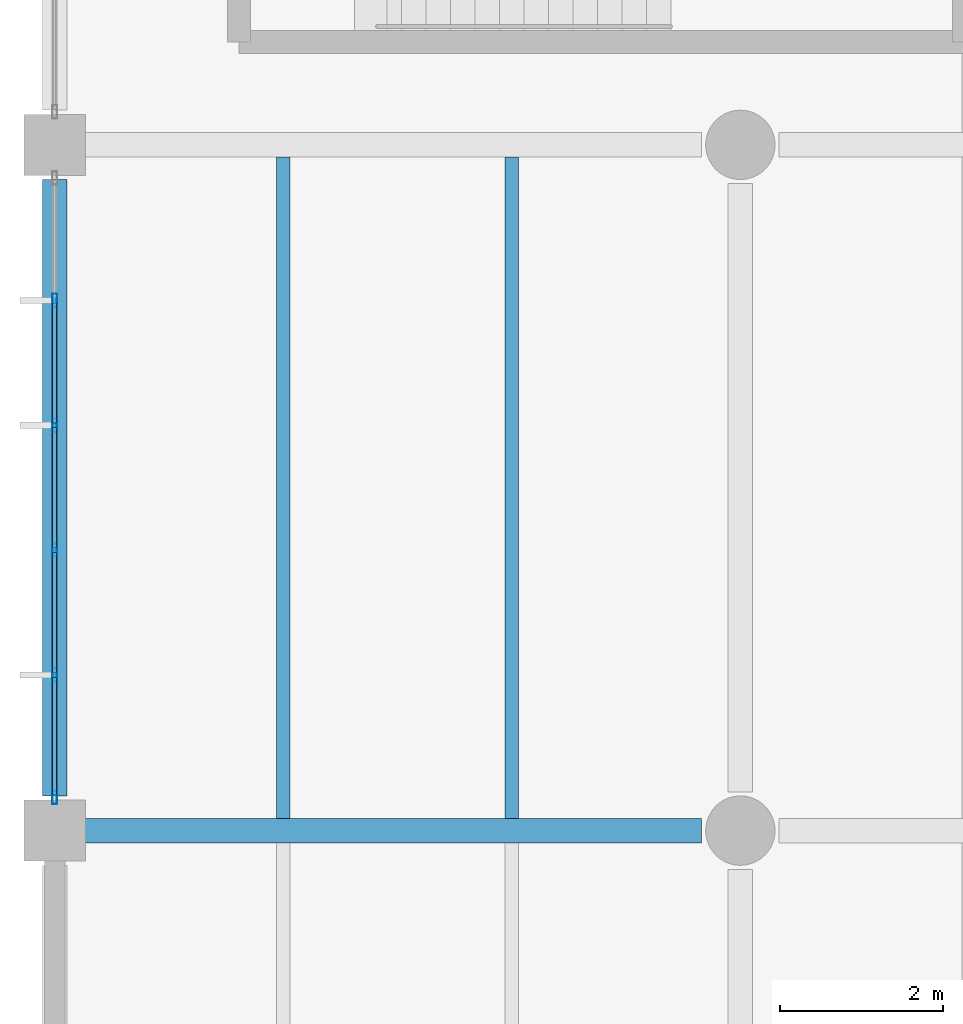
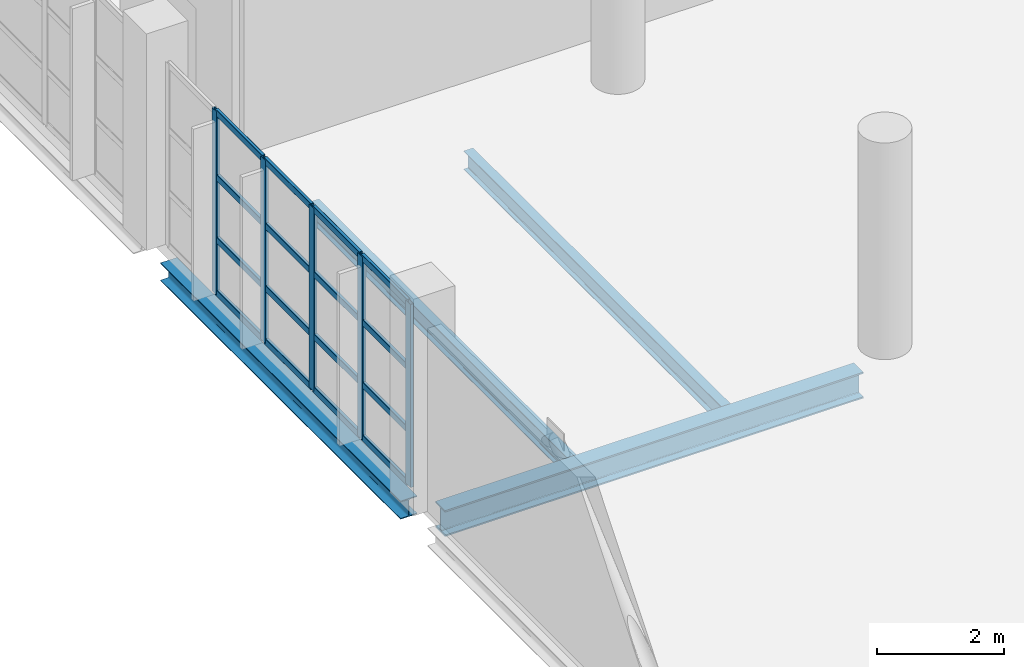
# One storey, part 56 of 177: 21 members, 4 beams, 1 element without a shape of its own.
"""IFC4 building model written with IfcOpenShell, lengths in metres."""

from ifc_helpers import new_model, si_unit, direction, frame, origin, origin_2d, place, context, subcontext, project, spatial, hollow_rectangle, i_section, extrude, material, layer, layer_set, material_profile, profile_set, type_object, element, aggregate, save


model = new_model("IFC4")

# Units and contexts
model_context = context("Model", 3, precision=1e-05, world=origin(), true_north=direction((0.0, 1.0)))
body_context = subcontext(model_context, "Body", "Model", "MODEL_VIEW")
ifc_project = project(units=[si_unit("LENGTHUNIT", "METRE"), si_unit("AREAUNIT", "SQUARE_METRE"), si_unit("VOLUMEUNIT", "CUBIC_METRE"), si_unit("PLANEANGLEUNIT", "RADIAN"), si_unit("MASSUNIT", "GRAM", prefix="KILO"), si_unit("THERMODYNAMICTEMPERATUREUNIT", "KELVIN"), si_unit("POWERUNIT", "WATT")], contexts=[model_context])

# Site, building, storey
site_placement = place(None, origin())
site = spatial("IfcSite", under=ifc_project, at=site_placement, CompositionType="ELEMENT")
building_placement = place(site_placement, origin())
building = spatial("IfcBuilding", under=site, at=building_placement, Name="Mavoryth Pier Ferry Terminal", CompositionType="ELEMENT")
storey_placement = place(building_placement, frame((0.0, 0.0, 5.43994140625)))
storey = spatial("IfcBuildingStorey", under=building, at=storey_placement, Name="L01", CompositionType="ELEMENT", Elevation=5.43994140625)

# Beams
ifc_material_1 = material(Name="Steel S355J2", Category="steel")
ifc_material_profile_1 = material_profile(ifc_material_1, i_section(OverallWidth=0.300048828125, OverallDepth=0.5, WebThickness=0.014404296875, FlangeThickness=0.028076171875, FilletRadius=0.027099609375, at=origin_2d()), Name="HEB 500", Category="steel")
ifc_profile_set_1 = profile_set([ifc_material_profile_1], Name="Steel S355J2 - HEB 500")
beam_type_1 = type_object("IfcBeamType", Name="Beam-Steel-HEB500", PredefinedType="BEAM", material=ifc_profile_set_1)
beam_1_placement = place(storey_placement, frame((0.324951171875, 89.199951171875, -0.530029296875), z_axis=(1.0, 0.0, 0.0), x_axis=(0.0, 1.0, 0.0)))
element("IfcBeam", 1, at=beam_1_placement, inside=storey, type_object=beam_type_1, Name="Beam B01-SB01-0066", PredefinedType="BEAM", context=body_context, shape_type="SweptSolid", body=[
    extrude(i_section(OverallWidth=0.300048828125, OverallDepth=0.5, WebThickness=0.014404296875, FlangeThickness=0.028076171875, FilletRadius=0.027099609375, at=origin_2d()), origin(), (0.0, 0.0, 1.0), 7.60009765625),
])
ifc_material_profile_2 = material_profile(ifc_material_1, i_section(OverallWidth=0.169921875, OverallDepth=0.360107421875, WebThickness=0.008056640625, FlangeThickness=0.0126953125, FilletRadius=0.01806640625, at=origin_2d()), Name="IPE 360", Category="steel")
ifc_profile_set_2 = profile_set([ifc_material_profile_2], Name="Steel S355J2 - IPE 360")
beam_type_2 = type_object("IfcBeamType", Name="Joist-Steel-IPE360", PredefinedType="JOIST", material=ifc_profile_set_2)
for number, where, z_axis, x_axis, name in (
    (2, (2.800048828125, 89.35009765625, -0.4599609375), (0.0, 1.0, 0.0), (-1.0, 0.0, 0.0), "Beam B01-SJ02-0119"),
    (3, (5.60009765625, 89.35009765625, -0.4599609375), (0.0, 1.0, 0.0), (-1.0, 0.0, 0.0), "Beam B01-SJ02-0120"),
):
    element("IfcBeam", number, at=place(storey_placement, frame(where, z_axis=z_axis, x_axis=x_axis)), inside=storey, type_object=beam_type_2, Name=name, PredefinedType="JOIST", context=body_context, shape_type="SweptSolid", body=[
        extrude(i_section(OverallWidth=0.169921875, OverallDepth=0.360107421875, WebThickness=0.008056640625, FlangeThickness=0.0126953125, FilletRadius=0.01806640625, at=origin_2d()), origin(), (0.0, 0.0, 1.0), 8.099853515625),
    ])

# Curtain wall, members
ifc_material_2 = material(Name="Anodised Aluminium and Solar-Control Low-E Glass", Category="aluminium")
ifc_layer = layer(ifc_material_2, 0.179931640625, Name="Anodised Aluminium and Solar-Control Low-E Glass", Category="aluminium")
ifc_layer_set = layer_set([ifc_layer], Name="Anodised Aluminium and Solar-Control Low-E Glass - CW-Concourse-Mod1400")
curtain_wall_type = type_object("IfcCurtainWallType", Name="CW-Concourse-Mod1400", PredefinedType="USERDEFINED", material=ifc_layer_set)
curtain_wall_placement = place(storey_placement, origin())
curtain_wall = element("IfcCurtainWall", 4, at=curtain_wall_placement, inside=storey, type_object=curtain_wall_type, Name="Curtain Wall CW-0122-027", ObjectType="UNITISED CURTAIN WALL", PredefinedType="USERDEFINED")
ifc_material_3 = material(Name="Anodised Aluminium EN AW-6063", Category="aluminium")
ifc_material_profile_3 = material_profile(ifc_material_3, hollow_rectangle(XDim=0.06005859375, YDim=0.1650390625, WallThickness=0.00390625, InnerFilletRadius=0.00390625, OuterFilletRadius=0.008056640625, at=origin_2d()), Name="AL-MULL 165x60x4", Category="aluminium")
ifc_profile_set_3 = profile_set([ifc_material_profile_3], Name="Anodised Aluminium EN AW-6063 - AL-MULL 165x60x4")
member_type_1 = type_object("IfcMemberType", Name="Mullion-Alum-165x60", PredefinedType="MULLION", material=ifc_profile_set_3)
member_1_placement = place(storey_placement, frame((0.0, 95.695068359375, 0.0), z_axis=(0.0, 0.0, 1.0), x_axis=(1.0, 0.0, 0.0)))
member_1 = element("IfcMember", 5, at=member_1_placement, type_object=member_type_1, Name="CW01 mullion 2", PredefinedType="MULLION", context=body_context, shape_type="SweptSolid", body=[
    extrude(hollow_rectangle(XDim=0.06005859375, YDim=0.1650390625, WallThickness=0.00390625, InnerFilletRadius=0.00390625, OuterFilletRadius=0.008056640625, at=origin_2d()), origin(), (0.0, 0.0, 1.0), 3.51513671875),
])
member_2_placement = place(storey_placement, frame((0.0, 94.1650390625, 0.0), z_axis=(0.0, 0.0, 1.0), x_axis=(1.0, 0.0, 0.0)))
member_2 = element("IfcMember", 6, at=member_2_placement, type_object=member_type_1, Name="CW01 mullion 3", PredefinedType="MULLION", context=body_context, shape_type="SweptSolid", body=[
    extrude(hollow_rectangle(XDim=0.06005859375, YDim=0.1650390625, WallThickness=0.00390625, InnerFilletRadius=0.00390625, OuterFilletRadius=0.008056640625, at=origin_2d()), origin(), (0.0, 0.0, 1.0), 3.51513671875),
])
member_3_placement = place(storey_placement, frame((0.0, 92.635009765625, 0.0), z_axis=(0.0, 0.0, 1.0), x_axis=(1.0, 0.0, 0.0)))
member_3 = element("IfcMember", 7, at=member_3_placement, type_object=member_type_1, Name="CW01 mullion 4", PredefinedType="MULLION", context=body_context, shape_type="SweptSolid", body=[
    extrude(hollow_rectangle(XDim=0.06005859375, YDim=0.1650390625, WallThickness=0.00390625, InnerFilletRadius=0.00390625, OuterFilletRadius=0.008056640625, at=origin_2d()), origin(), (0.0, 0.0, 1.0), 3.51513671875),
])
member_4_placement = place(storey_placement, frame((0.0, 91.10498046875, 0.0), z_axis=(0.0, 0.0, 1.0), x_axis=(1.0, 0.0, 0.0)))
member_4 = element("IfcMember", 8, at=member_4_placement, type_object=member_type_1, Name="CW01 mullion 5", PredefinedType="MULLION", context=body_context, shape_type="SweptSolid", body=[
    extrude(hollow_rectangle(XDim=0.06005859375, YDim=0.1650390625, WallThickness=0.00390625, InnerFilletRadius=0.00390625, OuterFilletRadius=0.008056640625, at=origin_2d()), origin(), (0.0, 0.0, 1.0), 3.51513671875),
])
member_5_placement = place(storey_placement, frame((0.0, 89.60498046875, 0.0), z_axis=(0.0, 0.0, 1.0), x_axis=(1.0, 0.0, 0.0)))
member_5 = element("IfcMember", 9, at=member_5_placement, type_object=member_type_1, Name="CW01 mullion 6", PredefinedType="MULLION", context=body_context, shape_type="SweptSolid", body=[
    extrude(hollow_rectangle(XDim=0.06005859375, YDim=0.1650390625, WallThickness=0.00390625, InnerFilletRadius=0.00390625, OuterFilletRadius=0.008056640625, at=origin_2d()), origin(), (0.0, 0.0, 1.0), 3.51513671875),
])

# Beam
ifc_material_profile_4 = material_profile(ifc_material_1, i_section(OverallWidth=0.300048828125, OverallDepth=0.35009765625, WebThickness=0.010009765625, FlangeThickness=0.017578125, FilletRadius=0.027099609375, at=origin_2d()), Name="HEA 360", Category="steel")
ifc_profile_set_4 = profile_set([ifc_material_profile_4], Name="Steel S355J2 - HEA 360")
beam_type_3 = type_object("IfcBeamType", Name="Spandrel-Steel-HEA360", PredefinedType="SPANDREL", material=ifc_profile_set_4)
beam_2_placement = place(storey_placement, frame((0.0, 89.625, -0.454833984375), z_axis=(0.0, 1.0, 0.0), x_axis=(-1.0, 0.0, 0.0)))
element("IfcBeam", 10, at=beam_2_placement, inside=storey, type_object=beam_type_3, Name="Beam B01-SP03-0083", PredefinedType="SPANDREL", context=body_context, shape_type="SweptSolid", body=[
    extrude(i_section(OverallWidth=0.300048828125, OverallDepth=0.35009765625, WebThickness=0.010009765625, FlangeThickness=0.017578125, FilletRadius=0.027099609375, at=origin_2d()), origin(), (0.0, 0.0, 1.0), 7.550048828125),
])

# Member
ifc_material_profile_5 = material_profile(ifc_material_3, hollow_rectangle(XDim=0.06005859375, YDim=0.125, WallThickness=0.00390625, InnerFilletRadius=0.00390625, OuterFilletRadius=0.008056640625, at=origin_2d()), Name="AL-TRAN 125x60x4", Category="aluminium")
ifc_profile_set_5 = profile_set([ifc_material_profile_5], Name="Anodised Aluminium EN AW-6063 - AL-TRAN 125x60x4")
member_type_2 = type_object("IfcMemberType", Name="Transom-Alum-125x60", PredefinedType="USERDEFINED", material=ifc_profile_set_5)
member_6_placement = place(storey_placement, frame((0.0, 95.6650390625, 0.030029296875), z_axis=(0.0, -1.0, 0.0), x_axis=(1.0, 0.0, 0.0)))
member_6 = element("IfcMember", 11, at=member_6_placement, type_object=member_type_2, Name="CW01 transom 2.1", ObjectType="TRANSOM", PredefinedType="USERDEFINED", context=body_context, shape_type="SweptSolid", body=[
    extrude(hollow_rectangle(XDim=0.06005859375, YDim=0.125, WallThickness=0.00390625, InnerFilletRadius=0.00390625, OuterFilletRadius=0.008056640625, at=origin_2d()), origin(), (0.0, 0.0, 1.0), 1.469970703125),
])

member_7_placement = place(storey_placement, frame((0.0, 95.6650390625, 1.050048828125), z_axis=(0.0, -1.0, 0.0), x_axis=(1.0, 0.0, 0.0)))
member_7 = element("IfcMember", 12, at=member_7_placement, type_object=member_type_2, Name="CW01 transom 2.2", ObjectType="TRANSOM", PredefinedType="USERDEFINED", context=body_context, shape_type="SweptSolid", body=[
    extrude(hollow_rectangle(XDim=0.06005859375, YDim=0.125, WallThickness=0.00390625, InnerFilletRadius=0.00390625, OuterFilletRadius=0.008056640625, at=origin_2d()), origin(), (0.0, 0.0, 1.0), 1.469970703125),
])

member_8_placement = place(storey_placement, frame((0.0, 95.6650390625, 2.25), z_axis=(0.0, -1.0, 0.0), x_axis=(1.0, 0.0, 0.0)))
member_8 = element("IfcMember", 13, at=member_8_placement, type_object=member_type_2, Name="CW01 transom 2.3", ObjectType="TRANSOM", PredefinedType="USERDEFINED", context=body_context, shape_type="SweptSolid", body=[
    extrude(hollow_rectangle(XDim=0.06005859375, YDim=0.125, WallThickness=0.00390625, InnerFilletRadius=0.00390625, OuterFilletRadius=0.008056640625, at=origin_2d()), origin(), (0.0, 0.0, 1.0), 1.469970703125),
])

member_9_placement = place(storey_placement, frame((0.0, 95.6650390625, 3.485107421875), z_axis=(0.0, -1.0, 0.0), x_axis=(1.0, 0.0, 0.0)))
member_9 = element("IfcMember", 14, at=member_9_placement, type_object=member_type_2, Name="CW01 transom 2.4", ObjectType="TRANSOM", PredefinedType="USERDEFINED", context=body_context, shape_type="SweptSolid", body=[
    extrude(hollow_rectangle(XDim=0.06005859375, YDim=0.125, WallThickness=0.00390625, InnerFilletRadius=0.00390625, OuterFilletRadius=0.008056640625, at=origin_2d()), origin(), (0.0, 0.0, 1.0), 1.469970703125),
])

member_10_placement = place(storey_placement, frame((0.0, 94.135009765625, 0.030029296875), z_axis=(0.0, -1.0, 0.0), x_axis=(1.0, 0.0, 0.0)))
member_10 = element("IfcMember", 15, at=member_10_placement, type_object=member_type_2, Name="CW01 transom 3.1", ObjectType="TRANSOM", PredefinedType="USERDEFINED", context=body_context, shape_type="SweptSolid", body=[
    extrude(hollow_rectangle(XDim=0.06005859375, YDim=0.125, WallThickness=0.00390625, InnerFilletRadius=0.00390625, OuterFilletRadius=0.008056640625, at=origin_2d()), origin(), (0.0, 0.0, 1.0), 1.469970703125),
])

member_11_placement = place(storey_placement, frame((0.0, 94.135009765625, 1.050048828125), z_axis=(0.0, -1.0, 0.0), x_axis=(1.0, 0.0, 0.0)))
member_11 = element("IfcMember", 16, at=member_11_placement, type_object=member_type_2, Name="CW01 transom 3.2", ObjectType="TRANSOM", PredefinedType="USERDEFINED", context=body_context, shape_type="SweptSolid", body=[
    extrude(hollow_rectangle(XDim=0.06005859375, YDim=0.125, WallThickness=0.00390625, InnerFilletRadius=0.00390625, OuterFilletRadius=0.008056640625, at=origin_2d()), origin(), (0.0, 0.0, 1.0), 1.469970703125),
])

member_12_placement = place(storey_placement, frame((0.0, 94.135009765625, 2.25), z_axis=(0.0, -1.0, 0.0), x_axis=(1.0, 0.0, 0.0)))
member_12 = element("IfcMember", 17, at=member_12_placement, type_object=member_type_2, Name="CW01 transom 3.3", ObjectType="TRANSOM", PredefinedType="USERDEFINED", context=body_context, shape_type="SweptSolid", body=[
    extrude(hollow_rectangle(XDim=0.06005859375, YDim=0.125, WallThickness=0.00390625, InnerFilletRadius=0.00390625, OuterFilletRadius=0.008056640625, at=origin_2d()), origin(), (0.0, 0.0, 1.0), 1.469970703125),
])

member_13_placement = place(storey_placement, frame((0.0, 94.135009765625, 3.485107421875), z_axis=(0.0, -1.0, 0.0), x_axis=(1.0, 0.0, 0.0)))
member_13 = element("IfcMember", 18, at=member_13_placement, type_object=member_type_2, Name="CW01 transom 3.4", ObjectType="TRANSOM", PredefinedType="USERDEFINED", context=body_context, shape_type="SweptSolid", body=[
    extrude(hollow_rectangle(XDim=0.06005859375, YDim=0.125, WallThickness=0.00390625, InnerFilletRadius=0.00390625, OuterFilletRadius=0.008056640625, at=origin_2d()), origin(), (0.0, 0.0, 1.0), 1.469970703125),
])

member_14_placement = place(storey_placement, frame((0.0, 92.60498046875, 0.030029296875), z_axis=(0.0, -1.0, 0.0), x_axis=(1.0, 0.0, 0.0)))
member_14 = element("IfcMember", 19, at=member_14_placement, type_object=member_type_2, Name="CW01 transom 4.1", ObjectType="TRANSOM", PredefinedType="USERDEFINED", context=body_context, shape_type="SweptSolid", body=[
    extrude(hollow_rectangle(XDim=0.06005859375, YDim=0.125, WallThickness=0.00390625, InnerFilletRadius=0.00390625, OuterFilletRadius=0.008056640625, at=origin_2d()), origin(), (0.0, 0.0, 1.0), 1.469970703125),
])

member_15_placement = place(storey_placement, frame((0.0, 92.60498046875, 1.050048828125), z_axis=(0.0, -1.0, 0.0), x_axis=(1.0, 0.0, 0.0)))
member_15 = element("IfcMember", 20, at=member_15_placement, type_object=member_type_2, Name="CW01 transom 4.2", ObjectType="TRANSOM", PredefinedType="USERDEFINED", context=body_context, shape_type="SweptSolid", body=[
    extrude(hollow_rectangle(XDim=0.06005859375, YDim=0.125, WallThickness=0.00390625, InnerFilletRadius=0.00390625, OuterFilletRadius=0.008056640625, at=origin_2d()), origin(), (0.0, 0.0, 1.0), 1.469970703125),
])

member_16_placement = place(storey_placement, frame((0.0, 92.60498046875, 2.25), z_axis=(0.0, -1.0, 0.0), x_axis=(1.0, 0.0, 0.0)))
member_16 = element("IfcMember", 21, at=member_16_placement, type_object=member_type_2, Name="CW01 transom 4.3", ObjectType="TRANSOM", PredefinedType="USERDEFINED", context=body_context, shape_type="SweptSolid", body=[
    extrude(hollow_rectangle(XDim=0.06005859375, YDim=0.125, WallThickness=0.00390625, InnerFilletRadius=0.00390625, OuterFilletRadius=0.008056640625, at=origin_2d()), origin(), (0.0, 0.0, 1.0), 1.469970703125),
])

member_17_placement = place(storey_placement, frame((0.0, 92.60498046875, 3.485107421875), z_axis=(0.0, -1.0, 0.0), x_axis=(1.0, 0.0, 0.0)))
member_17 = element("IfcMember", 22, at=member_17_placement, type_object=member_type_2, Name="CW01 transom 4.4", ObjectType="TRANSOM", PredefinedType="USERDEFINED", context=body_context, shape_type="SweptSolid", body=[
    extrude(hollow_rectangle(XDim=0.06005859375, YDim=0.125, WallThickness=0.00390625, InnerFilletRadius=0.00390625, OuterFilletRadius=0.008056640625, at=origin_2d()), origin(), (0.0, 0.0, 1.0), 1.469970703125),
])

member_18_placement = place(storey_placement, frame((0.0, 91.074951171875, 0.030029296875), z_axis=(0.0, -1.0, 0.0), x_axis=(1.0, 0.0, 0.0)))
member_18 = element("IfcMember", 23, at=member_18_placement, type_object=member_type_2, Name="CW01 transom 5.1", ObjectType="TRANSOM", PredefinedType="USERDEFINED", context=body_context, shape_type="SweptSolid", body=[
    extrude(hollow_rectangle(XDim=0.06005859375, YDim=0.125, WallThickness=0.00390625, InnerFilletRadius=0.00390625, OuterFilletRadius=0.008056640625, at=origin_2d()), origin(), (0.0, 0.0, 1.0), 1.43994140625),
])

member_19_placement = place(storey_placement, frame((0.0, 91.074951171875, 1.050048828125), z_axis=(0.0, -1.0, 0.0), x_axis=(1.0, 0.0, 0.0)))
member_19 = element("IfcMember", 24, at=member_19_placement, type_object=member_type_2, Name="CW01 transom 5.2", ObjectType="TRANSOM", PredefinedType="USERDEFINED", context=body_context, shape_type="SweptSolid", body=[
    extrude(hollow_rectangle(XDim=0.06005859375, YDim=0.125, WallThickness=0.00390625, InnerFilletRadius=0.00390625, OuterFilletRadius=0.008056640625, at=origin_2d()), origin(), (0.0, 0.0, 1.0), 1.43994140625),
])

member_20_placement = place(storey_placement, frame((0.0, 91.074951171875, 2.25), z_axis=(0.0, -1.0, 0.0), x_axis=(1.0, 0.0, 0.0)))
member_20 = element("IfcMember", 25, at=member_20_placement, type_object=member_type_2, Name="CW01 transom 5.3", ObjectType="TRANSOM", PredefinedType="USERDEFINED", context=body_context, shape_type="SweptSolid", body=[
    extrude(hollow_rectangle(XDim=0.06005859375, YDim=0.125, WallThickness=0.00390625, InnerFilletRadius=0.00390625, OuterFilletRadius=0.008056640625, at=origin_2d()), origin(), (0.0, 0.0, 1.0), 1.43994140625),
])

member_21_placement = place(storey_placement, frame((0.0, 91.074951171875, 3.485107421875), z_axis=(0.0, -1.0, 0.0), x_axis=(1.0, 0.0, 0.0)))
member_21 = element("IfcMember", 26, at=member_21_placement, type_object=member_type_2, Name="CW01 transom 5.4", ObjectType="TRANSOM", PredefinedType="USERDEFINED", context=body_context, shape_type="SweptSolid", body=[
    extrude(hollow_rectangle(XDim=0.06005859375, YDim=0.125, WallThickness=0.00390625, InnerFilletRadius=0.00390625, OuterFilletRadius=0.008056640625, at=origin_2d()), origin(), (0.0, 0.0, 1.0), 1.43994140625),
])

aggregate(curtain_wall, [member_1, member_2, member_3, member_4, member_5, member_6, member_7, member_8, member_9, member_10, member_11, member_12, member_13, member_14, member_15, member_16, member_17, member_18, member_19, member_20, member_21])

save(model, "model.ifc")
